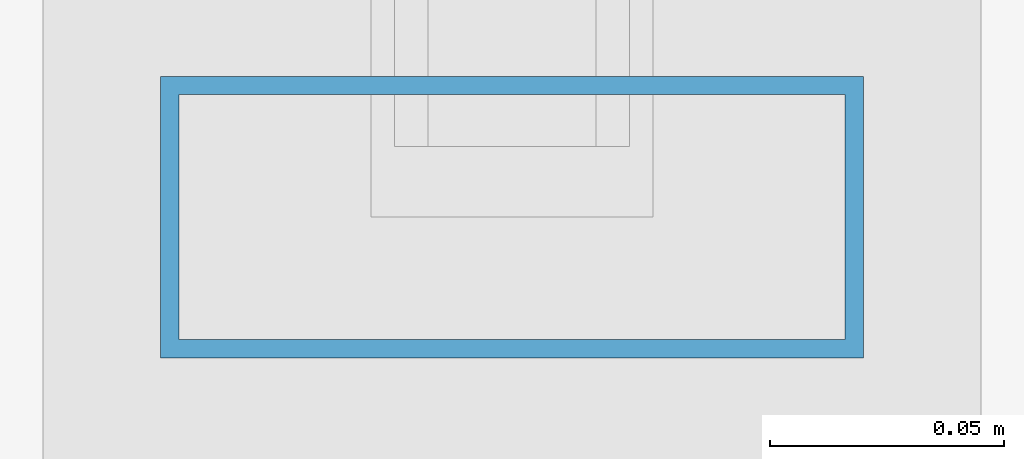
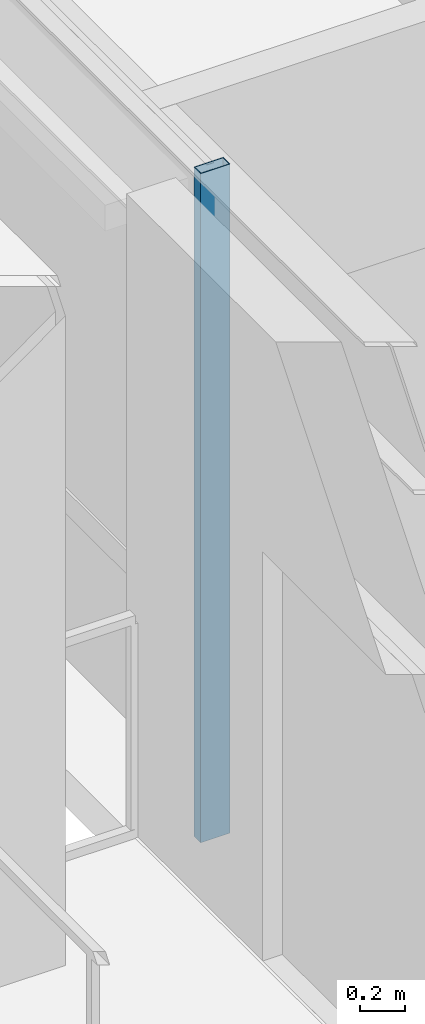
# One storey, part 9 of 24: 1 member, 1 element without a shape of its own.
"""IFC4 building model written with IfcOpenShell, lengths in metres."""

from ifc_helpers import new_model, si_unit, direction, frame, origin, origin_2d, place, context, subcontext, project, spatial, hollow_rectangle, extrude, material, layer, layer_set, material_profile, profile_set, type_object, element, aggregate, save


model = new_model("IFC4")

# Units and contexts
model_context = context("Model", 3, precision=1e-05, world=origin(), true_north=direction((0.0, 1.0)))
body_context = subcontext(model_context, "Body", "Model", "MODEL_VIEW")
ifc_project = project(units=[si_unit("LENGTHUNIT", "METRE"), si_unit("AREAUNIT", "SQUARE_METRE"), si_unit("VOLUMEUNIT", "CUBIC_METRE"), si_unit("PLANEANGLEUNIT", "RADIAN"), si_unit("MASSUNIT", "GRAM", prefix="KILO")], contexts=[model_context])

# Site, building, storey
site_placement = place(None, origin())
site = spatial("IfcSite", under=ifc_project, at=site_placement, CompositionType="ELEMENT")
building_placement = place(site_placement, origin())
building = spatial("IfcBuilding", under=site, at=building_placement, Name="Brelmoor Portico Tower", CompositionType="ELEMENT")
storey_placement = place(building_placement, frame((0.0, 0.0, 254.39990234375)))
storey = spatial("IfcBuildingStorey", under=building, at=storey_placement, Name="L67", CompositionType="ELEMENT", Elevation=254.39990234375)

# Curtain wall, member
ifc_material = material(Name="Anodised Aluminium Alloy 6063-T6", Category="aluminium")
ifc_layer = layer(ifc_material, 0.179931640625)
ifc_layer_set = layer_set([ifc_layer], Name="Anodised Aluminium Alloy 6063-T6")
curtain_wall_type = type_object("IfcCurtainWallType", Name="CW-TOWER-Z4", PredefinedType="NOTDEFINED", material=ifc_layer_set)
curtain_wall_placement = place(storey_placement, origin())
curtain_wall = element("IfcCurtainWall", 1, at=curtain_wall_placement, inside=storey, type_object=curtain_wall_type, Name="L67 Curtain Wall CW-L67-3R-1", PredefinedType="NOTDEFINED")
ifc_material_profile = material_profile(ifc_material, hollow_rectangle(XDim=0.06005859375, YDim=0.14990234375, WallThickness=0.00390625, at=origin_2d()), Name="ALU MULLION 60x150")
ifc_profile_set = profile_set([ifc_material_profile], Name="Anodised Aluminium Alloy 6063-T6")
member_type = type_object("IfcMemberType", Name="MB-CW-MULL-150", PredefinedType="MULLION", material=ifc_profile_set)
member_placement = place(storey_placement, frame((-18.550048828125, -1.0, -0.199951171875), z_axis=(0.0, 0.0, 1.0), x_axis=(0.0, 1.0, 0.0)))
member = element("IfcMember", 2, at=member_placement, type_object=member_type, Name="CW-L67-3R-1 Mullion 00", PredefinedType="MULLION", context=body_context, shape_type="SweptSolid", body=[
    extrude(hollow_rectangle(XDim=0.06005859375, YDim=0.14990234375, WallThickness=0.00390625, at=origin_2d()), origin(), (0.0, 0.0, 1.0), 3.60009765625),
])
aggregate(curtain_wall, [member])

save(model, "model.ifc")
